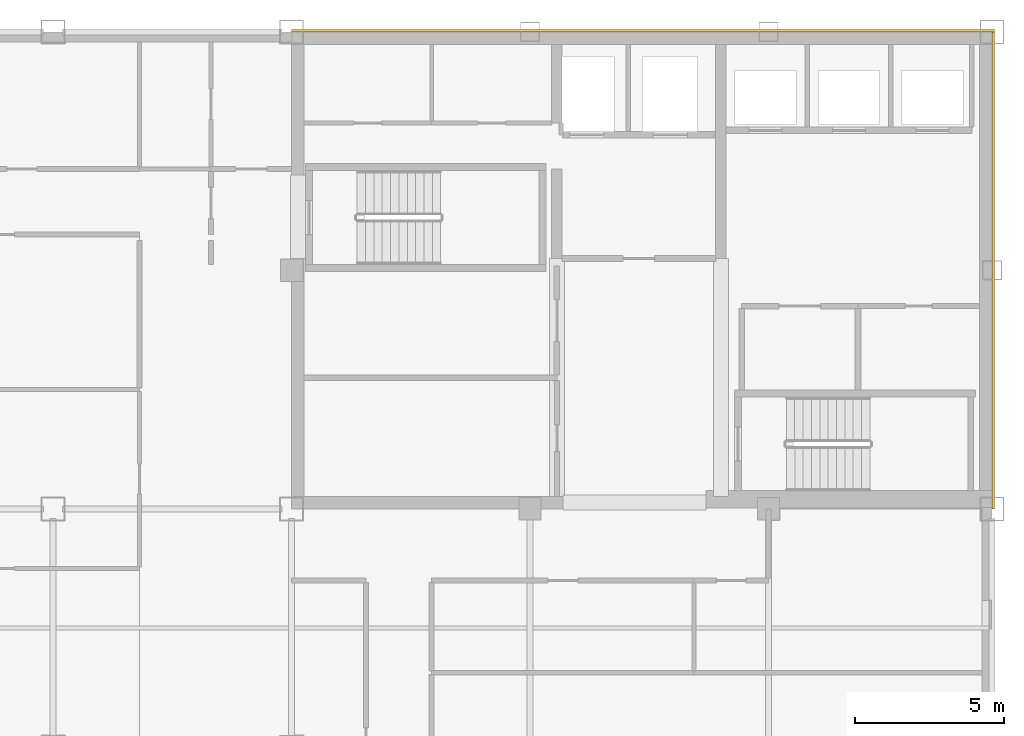
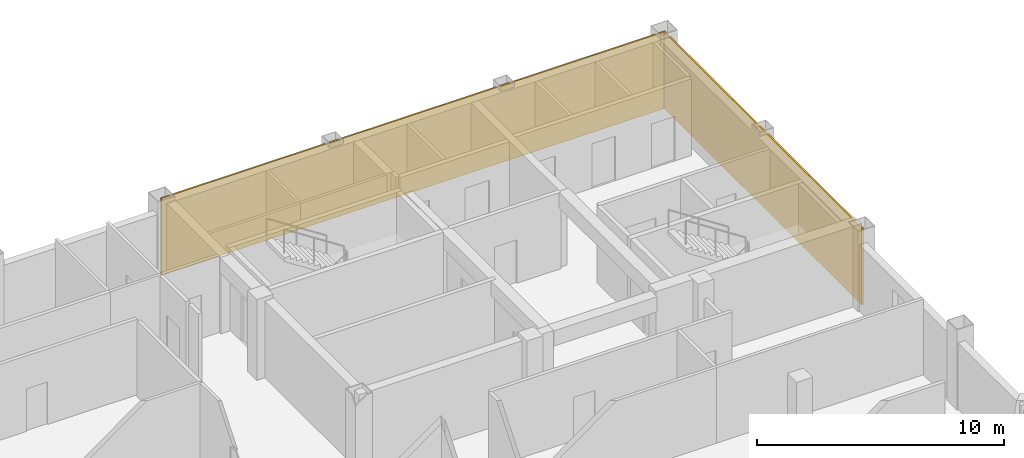
# One storey, part 7 of 7: 2 coverings.
"""IFC4 building model written with IfcOpenShell, lengths in metres."""

from ifc_helpers import new_model, si_unit, direction, frame, origin, origin_2d, place, context, subcontext, project, spatial, rectangle, extrude, material, layer, layer_set, type_object, element, save


model = new_model("IFC4")

# Units and contexts
model_context = context("Model", 3, precision=1e-05, world=origin(), true_north=direction((0.0, 1.0)))
body_context = subcontext(model_context, "Body", "Model", "MODEL_VIEW")
ifc_project = project(units=[si_unit("LENGTHUNIT", "METRE"), si_unit("AREAUNIT", "SQUARE_METRE"), si_unit("VOLUMEUNIT", "CUBIC_METRE"), si_unit("PLANEANGLEUNIT", "RADIAN"), si_unit("MASSUNIT", "GRAM", prefix="KILO")], contexts=[model_context])

# Site, building, storey
site_placement = place(None, origin())
site = spatial("IfcSite", under=ifc_project, at=site_placement, CompositionType="ELEMENT")
building_placement = place(site_placement, origin())
building = spatial("IfcBuilding", under=site, at=building_placement, Name="Qianrong Seaharbour Tower", CompositionType="ELEMENT")
storey_placement = place(building_placement, frame((0.0, 0.0, 347.199951171875)))
storey = spatial("IfcBuildingStorey", under=building, at=storey_placement, Name="L84", CompositionType="ELEMENT", Elevation=347.199951171875)

# Coverings
ifc_material = material(Name="Unitised red brick cladding on Precast concrete C45/55", Category="masonry")
ifc_layer = layer(ifc_material, 0.080078125)
ifc_layer_set = layer_set([ifc_layer], Name="Unitised red brick cladding on Precast concrete C45/55")
covering_type = type_object("IfcCoveringType", Name="COV-CLAD-RED-BRICK-80", PredefinedType="CLADDING", material=ifc_layer_set)
covering_1_placement = place(storey_placement, frame((52.2900390625, 52.0400390625, 0.0), z_axis=(0.0, 0.0, 1.0), x_axis=(1.0, 0.0, 0.0)))
element("IfcCovering", 1, at=covering_1_placement, inside=storey, type_object=covering_type, Name="L84 North Core Brick Veneer Cladding", PredefinedType="CLADDING", context=body_context, shape_type="SweptSolid", body=[
    extrude(rectangle(XDim=23.580078125, YDim=0.080078125, at=origin_2d()), origin(), (0.0, 0.0, 1.0), 3.784912109375),
])
covering_2_placement = place(storey_placement, frame((64.0400390625, 44.0, 0.0), z_axis=(0.0, 0.0, 1.0), x_axis=(1.0, 0.0, 0.0)))
element("IfcCovering", 2, at=covering_2_placement, inside=storey, type_object=covering_type, Name="L84 East Core Brick Veneer Cladding", PredefinedType="CLADDING", context=body_context, shape_type="SweptSolid", body=[
    extrude(rectangle(XDim=0.080078125, YDim=16.0, at=origin_2d()), origin(), (0.0, 0.0, 1.0), 3.784912109375),
])

save(model, "model.ifc")
